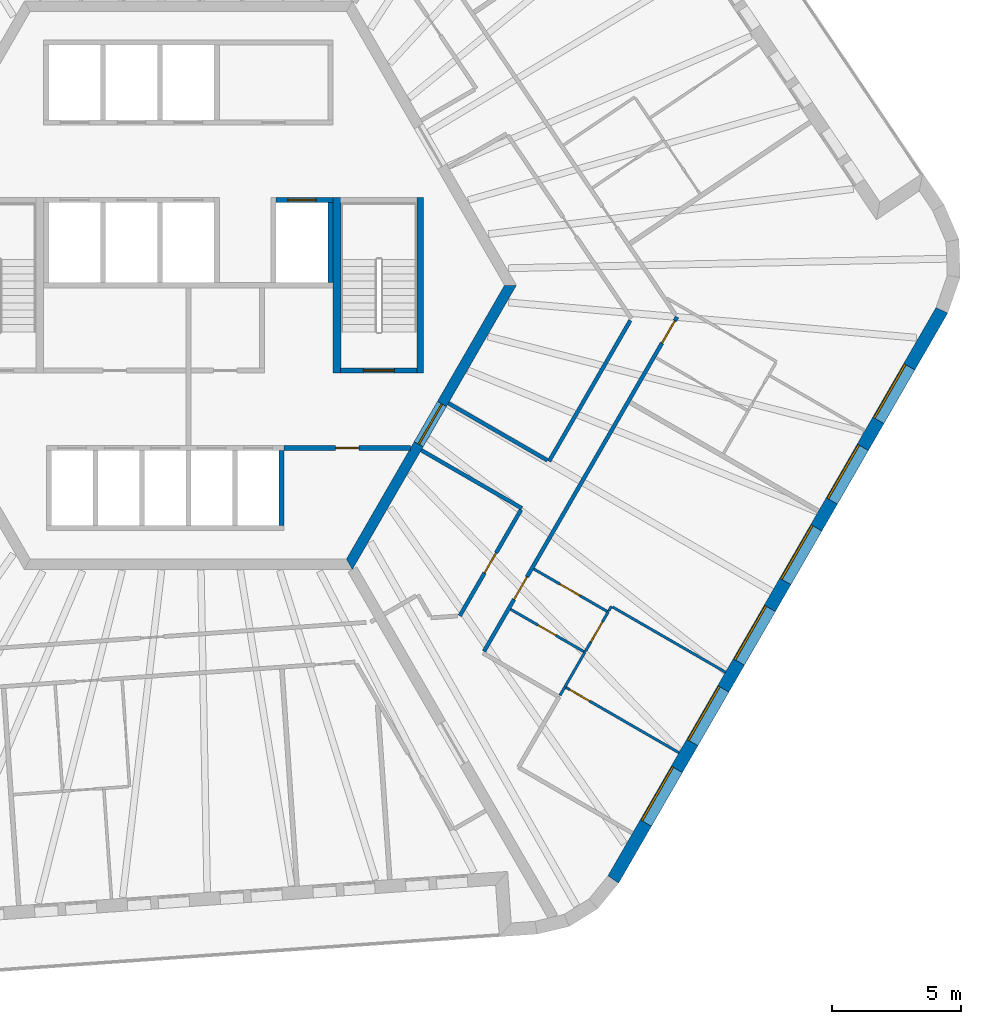
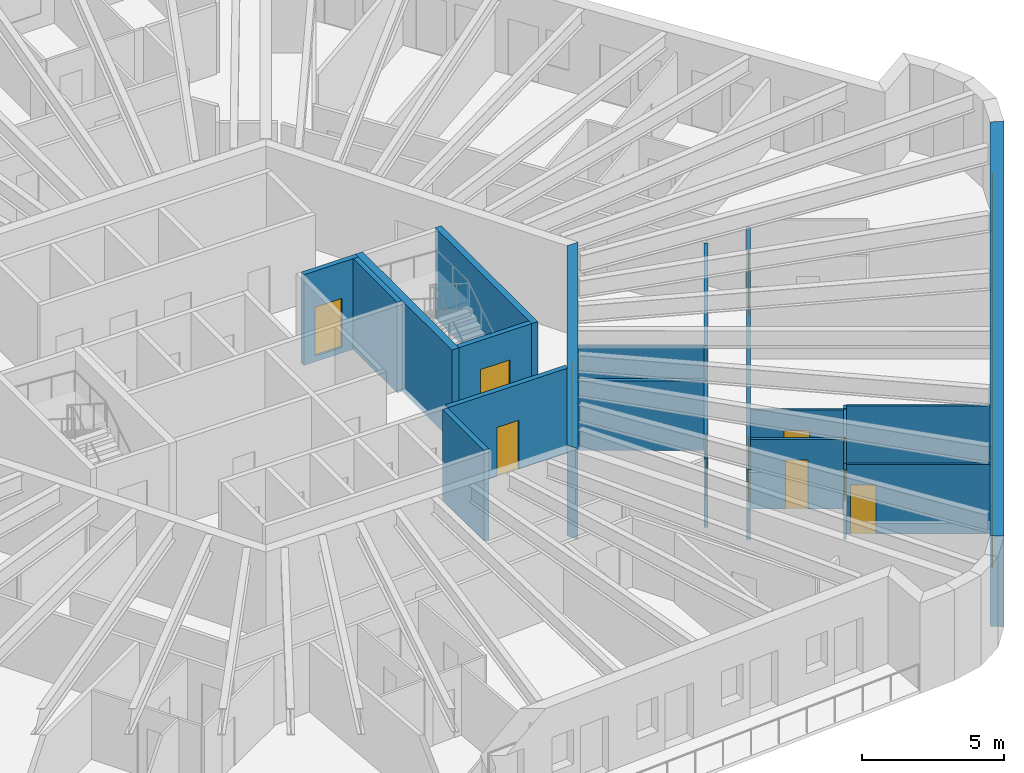
# One storey, part 6 of 12: 22 walls, 11 doors, 6 windows, 17 openings.
"""IFC4 building model written with IfcOpenShell, lengths in metres."""

from ifc_helpers import new_model, si_unit, direction, frame, frame_2d, origin, place, context, subcontext, project, spatial, polyline, rectangle, outline, extrude, material, layer, layer_set, type_object, element, fill, save


model = new_model("IFC4")

# Units and contexts
model_context = context("Model", 3, precision=1e-05, world=origin(), true_north=direction((0.0, 1.0)))
body_context = subcontext(model_context, "Body", "Model", "MODEL_VIEW")
ifc_project = project(units=[si_unit("LENGTHUNIT", "METRE"), si_unit("AREAUNIT", "SQUARE_METRE"), si_unit("VOLUMEUNIT", "CUBIC_METRE"), si_unit("PLANEANGLEUNIT", "RADIAN"), si_unit("MASSUNIT", "GRAM", prefix="KILO")], contexts=[model_context])

# Site, building, storey
site_placement = place(None, origin())
site = spatial("IfcSite", under=ifc_project, at=site_placement, CompositionType="ELEMENT")
building_placement = place(site_placement, origin())
building = spatial("IfcBuilding", under=site, at=building_placement, Name="Tarnside Tower", CompositionType="ELEMENT")
storey_placement = place(building_placement, frame((0.0, 0.0, 310.800048828125)))
storey = spatial("IfcBuildingStorey", under=building, at=storey_placement, Name="L75", CompositionType="ELEMENT", Elevation=310.800048828125)

# Wall, opening, door
ifc_material_1 = material(Name="Gypsum board partition on steel studs", Category="steel")
ifc_layer_1 = layer(ifc_material_1, 0.10009765625)
ifc_layer_set_1 = layer_set([ifc_layer_1], Name="Bathroom wall 100")
wall_type_1 = type_object("IfcWallType", Name="Bathroom wall 100", PredefinedType="PARTITIONING", material=ifc_layer_set_1)
wall_1_placement = place(storey_placement, frame((12.47412109375, -12.544189453125, 0.0), z_axis=(0.0, 0.0, 1.0), x_axis=(0.866002163101, -0.500040251884, 0.0)))
wall_1 = element("IfcWall", 1, at=wall_1_placement, inside=storey, type_object=wall_type_1, Name="Bathroom wall 24146", PredefinedType="PARTITIONING", context=body_context, shape_type="SweptSolid", body=[
    extrude(rectangle(XDim=3.324951171875, YDim=0.10009765625, at=frame_2d((1.66259765625, 0.0))), origin(), (0.0, 0.0, 1.0), 2.98779296875),
])
opening_1_placement = place(wall_1_placement, frame((1.22509765625, 0.0, 0.0)))
opening_1 = element("IfcOpeningElement", 2, at=opening_1_placement, cuts=wall_1, Name="Opening D-B1", PredefinedType="OPENING", context=body_context, shape_type="SweptSolid", body=[
    extrude(rectangle(XDim=0.800048828125, YDim=2.10009765625, at=frame_2d((0.39990234375, 1.050048828125))), frame((0.0, 0.06005859375, 0.0), z_axis=(0.0, -1.0, 0.0), x_axis=(1.0, 0.0, 0.0)), (0.0, 0.0, 1.0), 0.1201171875),
])
ifc_material_2 = material(Name="Timber door leaf", Category="wood")
door_type_1 = type_object("IfcDoorType", Name="Bathroom door 800", OperationType="NOTDEFINED", PredefinedType="DOOR", material=ifc_material_2)
door_1_placement = place(opening_1_placement, origin())
door_1 = element("IfcDoor", 3, at=door_1_placement, inside=storey, type_object=door_type_1, Name="Bathroom door 24044", OperationType="SINGLE_SWING_RIGHT", OverallHeight=2.10009765625, OverallWidth=0.800048828125, PredefinedType="DOOR", context=body_context, shape_type="SweptSolid", body=[
    extrude(rectangle(XDim=0.800048828125, YDim=2.10009765625, at=frame_2d((0.39990234375, 1.050048828125))), frame((0.0, 0.02490234375, 0.0), z_axis=(0.0, -1.0, 0.0), x_axis=(1.0, 0.0, 0.0)), (0.0, 0.0, 1.0), 0.050048828125),
])
fill(opening_1, door_1)

# Walls
wall_2_placement = place(storey_placement, frame((14.39013671875, -15.87548828125, 0.0), z_axis=(0.0, 0.0, 1.0), x_axis=(0.500094824054, 0.865970650169, 0.0)))
element("IfcWall", 4, at=wall_2_placement, inside=storey, type_object=wall_type_1, Name="Bathroom wall 24148", PredefinedType="PARTITIONING", context=body_context, shape_type="SweptSolid", body=[
    extrude(rectangle(XDim=0.37841796875, YDim=0.10009765625, at=frame_2d((0.189208984375, 0.0))), origin(), (0.0, 0.0, 1.0), 2.98779296875),
])
wall_3_placement = place(storey_placement, frame((14.579345703125, -15.5478515625, 0.0), z_axis=(0.0, 0.0, 1.0), x_axis=(0.499949632511, 0.866054481515, 0.0)))
element("IfcWall", 5, at=wall_3_placement, inside=storey, type_object=wall_type_1, Name="Bathroom wall 24149", PredefinedType="PARTITIONING", context=body_context, shape_type="SweptSolid", body=[
    extrude(rectangle(XDim=1.550537109375, YDim=0.10009765625, at=frame_2d((0.775390625, 0.0))), origin(), (0.0, 0.0, 1.0), 2.98779296875),
])

# Wall, opening, door
ifc_material_3 = material(Name="Concrete C40/50", Category="concrete")
ifc_layer_2 = layer(ifc_material_3, 0.199951171875)
ifc_layer_set_2 = layer_set([ifc_layer_2], Name="Core room partition 200 C40/50")
wall_type_2 = type_object("IfcWallType", Name="Core room partition 200 C40/50", PredefinedType="PARTITIONING", material=ifc_layer_set_2)
wall_4_placement = place(storey_placement, frame((3.699951171875, -6.300048828125, 0.0), z_axis=(0.0, 0.0, 1.0), x_axis=(1.0, 0.0, 0.0)))
wall_4 = element("IfcWall", 6, at=wall_4_placement, inside=storey, type_object=wall_type_2, Name="L75 core partition R4X", PredefinedType="PARTITIONING", context=body_context, shape_type="SweptSolid", body=[
    extrude(rectangle(XDim=4.902587890625, YDim=0.199951171875, at=frame_2d((2.451171875, 0.0))), origin(), (0.0, 0.0, 1.0), 3.64990234375),
])
opening_2_placement = place(wall_4_placement, frame((2.001220703125, 0.0, 0.0)))
opening_2 = element("IfcOpeningElement", 7, at=opening_2_placement, cuts=wall_4, Name="Opening CD-room", PredefinedType="OPENING", context=body_context, shape_type="SweptSolid", body=[
    extrude(rectangle(XDim=0.89990234375, YDim=2.10009765625, at=frame_2d((0.449951171875, 1.050048828125))), frame((0.0, 0.10986328125, 0.0), z_axis=(0.0, -1.0, 0.0), x_axis=(1.0, 0.0, 0.0)), (0.0, 0.0, 1.0), 0.219970703125),
])
ifc_material_4 = material(Name="Steel fire door", Category="steel")
door_type_2 = type_object("IfcDoorType", Name="Room door FD60 900x2100", OperationType="NOTDEFINED", PredefinedType="DOOR", material=ifc_material_4)
door_2_placement = place(opening_2_placement, origin())
door_2 = element("IfcDoor", 8, at=door_2_placement, inside=storey, type_object=door_type_2, Name="L75 core room door RX", OperationType="SINGLE_SWING_LEFT", OverallHeight=2.10009765625, OverallWidth=0.89990234375, PredefinedType="DOOR", context=body_context, shape_type="SweptSolid", body=[
    extrude(rectangle(XDim=0.89990234375, YDim=2.10009765625, at=frame_2d((0.449951171875, 1.050048828125))), frame((0.0, 0.02490234375, 0.0), z_axis=(0.0, -1.0, 0.0), x_axis=(1.0, 0.0, 0.0)), (0.0, 0.0, 1.0), 0.050048828125),
])
fill(opening_2, door_2)

ifc_material_5 = material(Name="Concrete C60/75", Category="concrete")
ifc_layer_3 = layer(ifc_material_5, 0.39990234375)
ifc_layer_set_3 = layer_set([ifc_layer_3], Name="Core wall Z3 400 C60/75")
wall_type_3 = type_object("IfcWallType", Name="Core wall Z3 400 C60/75", PredefinedType="SHEAR", material=ifc_layer_set_3)
wall_5_placement = place(storey_placement, frame((6.2353515625, -10.800048828125, -0.150146484375), z_axis=(0.0, 0.0, 1.0), x_axis=(0.499996419489, 0.866027470984, 0.0)))
wall_5 = element("IfcWall", 9, at=wall_5_placement, inside=storey, type_object=wall_type_3, Name="L75 core wall face 5", PredefinedType="SHEAR", context=body_context, shape_type="SweptSolid", body=[
    extrude(outline(polyline([(-0.115478515625, -0.199951171875), (12.586181640625, -0.199951171875), (12.355224609375, 0.199951171875), (0.115478515625, 0.199951171875), (-0.115478515625, -0.199951171875)])), origin(), (0.0, 0.0, 1.0), 3.900146484375),
])
opening_3_placement = place(wall_5_placement, frame((5.3642578125, 0.0, 0.14990234375)))
opening_3 = element("IfcOpeningElement", 10, at=opening_3_placement, cuts=wall_5, Name="Opening CD-FFL", PredefinedType="OPENING", context=body_context, shape_type="SweptSolid", body=[
    extrude(rectangle(XDim=1.800048828125, YDim=2.39990234375, at=frame_2d((0.89990234375, 1.199951171875))), frame((0.0, 0.2099609375, 0.0), z_axis=(0.0, -1.0, 0.0), x_axis=(1.0, 0.0, 0.0)), (0.0, 0.0, 1.0), 0.419921875),
])
door_type_3 = type_object("IfcDoorType", Name="Firefighting lobby double door FD60S 1800x2400", OperationType="NOTDEFINED", PredefinedType="DOOR", material=ifc_material_4)
door_3_placement = place(opening_3_placement, origin())
door_3 = element("IfcDoor", 11, at=door_3_placement, inside=storey, type_object=door_type_3, Name="L75 core door P4", OperationType="DOUBLE_DOOR_SINGLE_SWING", OverallHeight=2.39990234375, OverallWidth=1.800048828125, PredefinedType="DOOR", context=body_context, shape_type="SweptSolid", body=[
    extrude(rectangle(XDim=1.800048828125, YDim=2.39990234375, at=frame_2d((0.89990234375, 1.199951171875))), frame((0.0, 0.02490234375, 0.0), z_axis=(0.0, -1.0, 0.0), x_axis=(1.0, 0.0, 0.0)), (0.0, 0.0, 1.0), 0.050048828125),
])
fill(opening_3, door_3)

# Wall, openings, doors
ifc_layer_4 = layer(ifc_material_1, 0.14990234375)
ifc_layer_set_4 = layer_set([ifc_layer_4], Name="Corridor wall 150 EI 60")
wall_type_4 = type_object("IfcWallType", Name="Corridor wall 150 EI 60", PredefinedType="PARTITIONING", material=ifc_layer_set_4)
wall_6_placement = place(storey_placement, frame((11.446533203125, -14.173828125, 0.0), z_axis=(0.0, 0.0, 1.0), x_axis=(0.500003306199, 0.866023494941, 0.0)))
wall_6 = element("IfcWall", 12, at=wall_6_placement, inside=storey, type_object=wall_type_4, Name="Corridor wall 24054", PredefinedType="PARTITIONING", context=body_context, shape_type="SweptSolid", body=[
    extrude(rectangle(XDim=14.94921875, YDim=0.14990234375, at=frame_2d((7.474609375, 0.0))), origin(), (0.0, 0.0, 1.0), 2.98779296875),
])
opening_4_placement = place(wall_6_placement, frame((2.324951171875, 0.0, 0.0)))
opening_4 = element("IfcOpeningElement", 13, at=opening_4_placement, cuts=wall_6, Name="Opening D-E1", PredefinedType="OPENING", context=body_context, shape_type="SweptSolid", body=[
    extrude(rectangle(XDim=1.0, YDim=2.10009765625, at=frame_2d((0.5, 1.050048828125))), frame((0.0, 0.0849609375, 0.0), z_axis=(0.0, -1.0, 0.0), x_axis=(1.0, 0.0, 0.0)), (0.0, 0.0, 1.0), 0.169921875),
])
opening_5_placement = place(wall_6_placement, frame((13.7763671875, 0.0, 0.0)))
opening_5 = element("IfcOpeningElement", 14, at=opening_5_placement, cuts=wall_6, Name="Opening D-E1", PredefinedType="OPENING", context=body_context, shape_type="SweptSolid", body=[
    extrude(rectangle(XDim=1.0, YDim=2.10009765625, at=frame_2d((0.5, 1.050048828125))), frame((0.0, 0.0849609375, 0.0), z_axis=(0.0, -1.0, 0.0), x_axis=(1.0, 0.0, 0.0)), (0.0, 0.0, 1.0), 0.169921875),
])
door_type_4 = type_object("IfcDoorType", Name="Unit entrance door 1000 FD30S", OperationType="NOTDEFINED", PredefinedType="DOOR", material=ifc_material_2)
door_4_placement = place(opening_4_placement, origin())
door_4 = element("IfcDoor", 15, at=door_4_placement, inside=storey, type_object=door_type_4, Name="Unit door 24043", OperationType="SINGLE_SWING_LEFT", OverallHeight=2.10009765625, OverallWidth=1.0, PredefinedType="DOOR", context=body_context, shape_type="SweptSolid", body=[
    extrude(rectangle(XDim=1.0, YDim=2.10009765625, at=frame_2d((0.5, 1.050048828125))), frame((0.0, 0.02490234375, 0.0), z_axis=(0.0, -1.0, 0.0), x_axis=(1.0, 0.0, 0.0)), (0.0, 0.0, 1.0), 0.050048828125),
])
fill(opening_4, door_4)
door_5_placement = place(opening_5_placement, origin())
door_5 = element("IfcDoor", 16, at=door_5_placement, inside=storey, type_object=door_type_4, Name="Unit door 24050", OperationType="SINGLE_SWING_LEFT", OverallHeight=2.10009765625, OverallWidth=1.0, PredefinedType="DOOR", context=body_context, shape_type="SweptSolid", body=[
    extrude(rectangle(XDim=1.0, YDim=2.10009765625, at=frame_2d((0.5, 1.050048828125))), frame((0.0, 0.02490234375, 0.0), z_axis=(0.0, -1.0, 0.0), x_axis=(1.0, 0.0, 0.0)), (0.0, 0.0, 1.0), 0.050048828125),
])
fill(opening_5, door_5)

# Walls
wall_7_placement = place(storey_placement, frame((17.11181640625, -1.361572265625, 0.0), z_axis=(0.0, 0.0, 1.0), x_axis=(-0.49999985423, -0.866025487945, 0.0)))
element("IfcWall", 17, at=wall_7_placement, inside=storey, type_object=wall_type_4, Name="Corridor wall 24073", PredefinedType="PARTITIONING", context=body_context, shape_type="SweptSolid", body=[
    extrude(rectangle(XDim=6.2978515625, YDim=0.14990234375, at=frame_2d((3.14892578125, 0.0))), origin(), (0.0, 0.0, 1.0), 2.98779296875),
])
wall_8_placement = place(storey_placement, frame((13.89794921875, -6.778076171875, 0.0), z_axis=(0.0, 0.0, 1.0), x_axis=(-0.866041342403, 0.499972392486, 0.0)))
element("IfcWall", 18, at=wall_8_placement, inside=storey, type_object=wall_type_4, Name="Corridor wall 24074", PredefinedType="PARTITIONING", context=body_context, shape_type="SweptSolid", body=[
    extrude(rectangle(XDim=4.425048828125, YDim=0.14990234375, at=frame_2d((2.21240234375, 0.0))), origin(), (0.0, 0.0, 1.0), 2.98779296875),
])
wall_9_placement = place(storey_placement, frame((9.015625, -6.38427734375, 0.0), z_axis=(0.0, 0.0, 1.0), x_axis=(0.866031096941, -0.499990139034, 0.0)))
element("IfcWall", 19, at=wall_9_placement, inside=storey, type_object=wall_type_4, Name="Corridor wall 24075", PredefinedType="PARTITIONING", context=body_context, shape_type="SweptSolid", body=[
    extrude(rectangle(XDim=4.5, YDim=0.14990234375, at=frame_2d((2.25, 0.0))), origin(), (0.0, 0.0, 1.0), 2.98779296875),
])

# Wall, opening, door
wall_10_placement = place(storey_placement, frame((12.875244140625, -8.69921875, 0.0), z_axis=(0.0, 0.0, 1.0), x_axis=(-0.49999482868, -0.866028389427, 0.0)))
wall_10 = element("IfcWall", 20, at=wall_10_placement, inside=storey, type_object=wall_type_4, Name="Corridor wall 24076", PredefinedType="PARTITIONING", context=body_context, shape_type="SweptSolid", body=[
    extrude(rectangle(XDim=4.73291015625, YDim=0.14990234375, at=frame_2d((2.366455078125, 0.0))), origin(), (0.0, 0.0, 1.0), 2.98779296875),
])
opening_6_placement = place(wall_10_placement, frame((1.91650390625, 0.0, 0.0)))
opening_6 = element("IfcOpeningElement", 21, at=opening_6_placement, cuts=wall_10, Name="Opening D-S1", PredefinedType="OPENING", context=body_context, shape_type="SweptSolid", body=[
    extrude(rectangle(XDim=0.89990234375, YDim=2.10009765625, at=frame_2d((0.449951171875, 1.050048828125))), frame((0.0, 0.0849609375, 0.0), z_axis=(0.0, -1.0, 0.0), x_axis=(1.0, 0.0, 0.0)), (0.0, 0.0, 1.0), 0.169921875),
])
door_type_5 = type_object("IfcDoorType", Name="Service room door 900 FD30S", OperationType="NOTDEFINED", PredefinedType="DOOR", material=ifc_material_2)
door_6_placement = place(opening_6_placement, origin())
door_6 = element("IfcDoor", 22, at=door_6_placement, inside=storey, type_object=door_type_5, Name="Service door 24068", OperationType="SINGLE_SWING_LEFT", OverallHeight=2.10009765625, OverallWidth=0.89990234375, PredefinedType="DOOR", context=body_context, shape_type="SweptSolid", body=[
    extrude(rectangle(XDim=0.89990234375, YDim=2.10009765625, at=frame_2d((0.449951171875, 1.050048828125))), frame((0.0, 0.02490234375, 0.0), z_axis=(0.0, -1.0, 0.0), x_axis=(1.0, 0.0, 0.0)), (0.0, 0.0, 1.0), 0.050048828125),
])
fill(opening_6, door_6)

ifc_layer_5 = layer(ifc_material_3, 0.199951171875)
ifc_layer_set_5 = layer_set([ifc_layer_5], Name="Lift shaft wall 200 C40/50")
wall_type_5 = type_object("IfcWallType", Name="Lift shaft wall 200 C40/50", PredefinedType="SHEAR", material=ifc_layer_set_5)
wall_11_placement = place(storey_placement, frame((3.39990234375, 3.300048828125, -0.25), z_axis=(0.0, 0.0, 1.0), x_axis=(1.0, 0.0, 0.0)))
wall_11 = element("IfcWall", 23, at=wall_11_placement, inside=storey, type_object=wall_type_5, Name="L75 lift shaft front wall R2 2", PredefinedType="SHEAR", context=body_context, shape_type="SweptSolid", body=[
    extrude(rectangle(XDim=2.2001953125, YDim=0.199951171875, at=frame_2d((1.10009765625, 0.0))), origin(), (0.0, 0.0, 1.0), 3.89990234375),
])
opening_7_placement = place(wall_11_placement, frame((0.449951171875, 0.0, 0.25)))
opening_7 = element("IfcOpeningElement", 24, at=opening_7_placement, cuts=wall_11, Name="Opening LD", PredefinedType="OPENING", context=body_context, shape_type="SweptSolid", body=[
    extrude(rectangle(XDim=1.10009765625, YDim=2.10009765625, at=frame_2d((0.550048828125, 1.050048828125))), frame((0.0, 0.10986328125, 0.0), z_axis=(0.0, -1.0, 0.0), x_axis=(1.0, 0.0, 0.0)), (0.0, 0.0, 1.0), 0.219970703125),
])
ifc_material_6 = material(Name="Stainless steel", Category="steel")
door_type_6 = type_object("IfcDoorType", Name="Lift landing door 1100x2100", OperationType="NOTDEFINED", PredefinedType="DOOR", material=ifc_material_6)
door_7_placement = place(opening_7_placement, origin())
door_7 = element("IfcDoor", 25, at=door_7_placement, inside=storey, type_object=door_type_6, Name="Express sky-lobby shuttle 2 landing door L75", OperationType="SLIDING_TO_LEFT", OverallHeight=2.10009765625, OverallWidth=1.10009765625, PredefinedType="DOOR", context=body_context, shape_type="SweptSolid", body=[
    extrude(rectangle(XDim=1.10009765625, YDim=2.10009765625, at=frame_2d((0.550048828125, 1.050048828125))), frame((0.0, 0.02490234375, 0.0), z_axis=(0.0, -1.0, 0.0), x_axis=(1.0, 0.0, 0.0)), (0.0, 0.0, 1.0), 0.050048828125),
])
fill(opening_7, door_7)

# Walls
wall_12_placement = place(storey_placement, frame((5.5, 0.10009765625, -0.25), z_axis=(0.0, 0.0, 1.0), x_axis=(0.0, 1.0, 0.0)))
element("IfcWall", 26, at=wall_12_placement, inside=storey, type_object=wall_type_5, Name="L75 lift shaft partition R26", PredefinedType="SHEAR", context=body_context, shape_type="SweptSolid", body=[
    extrude(rectangle(XDim=3.099853515625, YDim=0.199951171875, at=frame_2d((1.5498046875, 0.0))), origin(), (0.0, 0.0, 1.0), 3.89990234375),
])
wall_13_placement = place(storey_placement, frame((3.60009765625, -9.300048828125, -0.25), z_axis=(0.0, 0.0, 1.0), x_axis=(0.0, 1.0, 0.0)))
element("IfcWall", 27, at=wall_13_placement, inside=storey, type_object=wall_type_5, Name="L75 lift shaft partition R46", PredefinedType="SHEAR", context=body_context, shape_type="SweptSolid", body=[
    extrude(rectangle(XDim=2.900146484375, YDim=0.199951171875, at=frame_2d((1.4501953125, 0.0))), origin(), (0.0, 0.0, 1.0), 3.89990234375),
])

# Wall, opening, door
wall_14_placement = place(storey_placement, frame((5.89990234375, -3.300048828125, -0.25), z_axis=(0.0, 0.0, 1.0), x_axis=(1.0, 0.0, 0.0)))
wall_14 = element("IfcWall", 28, at=wall_14_placement, inside=storey, type_object=wall_type_5, Name="L75 stair 1 enclosure cap wall s", PredefinedType="SHEAR", context=body_context, shape_type="SweptSolid", body=[
    extrude(rectangle(XDim=2.9501953125, YDim=0.199951171875, at=frame_2d((1.47509765625, 0.0))), origin(), (0.0, 0.0, 1.0), 3.89990234375),
])
opening_8_placement = place(wall_14_placement, frame((0.875, 0.0, 0.25)))
opening_8 = element("IfcOpeningElement", 29, at=opening_8_placement, cuts=wall_14, Name="Opening CD-STR", PredefinedType="OPENING", context=body_context, shape_type="SweptSolid", body=[
    extrude(rectangle(XDim=1.199951171875, YDim=2.39990234375, at=frame_2d((0.60009765625, 1.199951171875))), frame((0.0, 0.10986328125, 0.0), z_axis=(0.0, -1.0, 0.0), x_axis=(1.0, 0.0, 0.0)), (0.0, 0.0, 1.0), 0.219970703125),
])
door_type_7 = type_object("IfcDoorType", Name="Stair door FD60S 1200x2400", OperationType="NOTDEFINED", PredefinedType="DOOR", material=ifc_material_4)
door_8_placement = place(opening_8_placement, origin())
door_8 = element("IfcDoor", 30, at=door_8_placement, inside=storey, type_object=door_type_7, Name="L75 stair 1 door", OperationType="SINGLE_SWING_LEFT", OverallHeight=2.39990234375, OverallWidth=1.199951171875, PredefinedType="DOOR", context=body_context, shape_type="SweptSolid", body=[
    extrude(rectangle(XDim=1.199951171875, YDim=2.39990234375, at=frame_2d((0.60009765625, 1.199951171875))), frame((0.0, 0.02490234375, 0.0), z_axis=(0.0, -1.0, 0.0), x_axis=(1.0, 0.0, 0.0)), (0.0, 0.0, 1.0), 0.050048828125),
])
fill(opening_8, door_8)

ifc_layer_6 = layer(ifc_material_1, 0.10009765625)
ifc_layer_set_6 = layer_set([ifc_layer_6], Name="Partition 100")
wall_type_6 = type_object("IfcWallType", Name="Partition 100", PredefinedType="PARTITIONING", material=ifc_layer_set_6)
wall_15_placement = place(storey_placement, frame((13.3740234375, -10.9853515625, 0.0), z_axis=(0.0, 0.0, 1.0), x_axis=(0.866020521143, -0.500008456887, 0.0)))
wall_15 = element("IfcWall", 31, at=wall_15_placement, inside=storey, type_object=wall_type_6, Name="Partition wall 24141", PredefinedType="PARTITIONING", context=body_context, shape_type="SweptSolid", body=[
    extrude(rectangle(XDim=3.3251953125, YDim=0.10009765625, at=frame_2d((1.66259765625, 0.0))), origin(), (0.0, 0.0, 1.0), 2.98779296875),
])
opening_9_placement = place(wall_15_placement, frame((1.175048828125, 0.0, 0.0)))
opening_9 = element("IfcOpeningElement", 32, at=opening_9_placement, cuts=wall_15, Name="Opening D-I1", PredefinedType="OPENING", context=body_context, shape_type="SweptSolid", body=[
    extrude(rectangle(XDim=0.89990234375, YDim=2.10009765625, at=frame_2d((0.449951171875, 1.050048828125))), frame((0.0, 0.06005859375, 0.0), z_axis=(0.0, -1.0, 0.0), x_axis=(1.0, 0.0, 0.0)), (0.0, 0.0, 1.0), 0.1201171875),
])
door_type_8 = type_object("IfcDoorType", Name="Internal door 900", OperationType="NOTDEFINED", PredefinedType="DOOR", material=ifc_material_2)
door_9_placement = place(opening_9_placement, origin())
door_9 = element("IfcDoor", 33, at=door_9_placement, inside=storey, type_object=door_type_8, Name="Internal door 24045", OperationType="SINGLE_SWING_RIGHT", OverallHeight=2.10009765625, OverallWidth=0.89990234375, PredefinedType="DOOR", context=body_context, shape_type="SweptSolid", body=[
    extrude(rectangle(XDim=0.89990234375, YDim=2.10009765625, at=frame_2d((0.449951171875, 1.050048828125))), frame((0.0, 0.02490234375, 0.0), z_axis=(0.0, -1.0, 0.0), x_axis=(1.0, 0.0, 0.0)), (0.0, 0.0, 1.0), 0.050048828125),
])
fill(opening_9, door_9)

# Walls
wall_16_placement = place(storey_placement, frame((16.277587890625, -12.6064453125, 0.0), z_axis=(0.0, 0.0, 1.0), x_axis=(0.500137716533, 0.865945878506, 0.0)))
element("IfcWall", 34, at=wall_16_placement, inside=storey, type_object=wall_type_6, Name="Partition wall 24142", PredefinedType="PARTITIONING", context=body_context, shape_type="SweptSolid", body=[
    extrude(rectangle(XDim=0.20361328125, YDim=0.10009765625, at=frame_2d((0.101806640625, 0.0))), origin(), (0.0, 0.0, 1.0), 2.98779296875),
])
wall_17_placement = place(storey_placement, frame((16.422607421875, -12.455078125, 0.0), z_axis=(0.0, 0.0, 1.0), x_axis=(0.866018134068, -0.500012591307, 0.0)))
element("IfcWall", 35, at=wall_17_placement, inside=storey, type_object=wall_type_6, Name="Partition wall 24143", PredefinedType="PARTITIONING", context=body_context, shape_type="SweptSolid", body=[
    extrude(rectangle(XDim=5.050048828125, YDim=0.10009765625, at=frame_2d((2.52490234375, 0.0))), origin(), (0.0, 0.0, 1.0), 2.98779296875),
])

# Wall, opening, door
wall_18_placement = place(storey_placement, frame((15.377685546875, -14.165283203125, 0.0), z_axis=(0.0, 0.0, 1.0), x_axis=(0.499971461383, 0.866041879935, 0.0)))
wall_18 = element("IfcWall", 36, at=wall_18_placement, inside=storey, type_object=wall_type_6, Name="Partition wall 24147", PredefinedType="PARTITIONING", context=body_context, shape_type="SweptSolid", body=[
    extrude(rectangle(XDim=1.75390625, YDim=0.10009765625, at=frame_2d((0.876953125, 0.0))), origin(), (0.0, 0.0, 1.0), 2.98779296875),
])
opening_10_placement = place(wall_18_placement, frame((0.402099609375, 0.0, 0.0)))
opening_10 = element("IfcOpeningElement", 37, at=opening_10_placement, cuts=wall_18, Name="Opening D-I1", PredefinedType="OPENING", context=body_context, shape_type="SweptSolid", body=[
    extrude(rectangle(XDim=0.89990234375, YDim=2.10009765625, at=frame_2d((0.449951171875, 1.050048828125))), frame((0.0, 0.06005859375, 0.0), z_axis=(0.0, -1.0, 0.0), x_axis=(1.0, 0.0, 0.0)), (0.0, 0.0, 1.0), 0.1201171875),
])
door_10_placement = place(opening_10_placement, origin())
door_10 = element("IfcDoor", 38, at=door_10_placement, inside=storey, type_object=door_type_8, Name="Internal door 24049", OperationType="SINGLE_SWING_RIGHT", OverallHeight=2.10009765625, OverallWidth=0.89990234375, PredefinedType="DOOR", context=body_context, shape_type="SweptSolid", body=[
    extrude(rectangle(XDim=0.89990234375, YDim=2.10009765625, at=frame_2d((0.449951171875, 1.050048828125))), frame((0.0, 0.02490234375, 0.0), z_axis=(0.0, -1.0, 0.0), x_axis=(1.0, 0.0, 0.0)), (0.0, 0.0, 1.0), 0.050048828125),
])
fill(opening_10, door_10)

wall_19_placement = place(storey_placement, frame((18.99609375, -18.097900390625, 0.0), z_axis=(0.0, 0.0, 1.0), x_axis=(-0.866039067339, 0.499976333282, 0.0)))
wall_19 = element("IfcWall", 39, at=wall_19_placement, inside=storey, type_object=wall_type_6, Name="Partition wall 24150", PredefinedType="PARTITIONING", context=body_context, shape_type="SweptSolid", body=[
    extrude(rectangle(XDim=5.050048828125, YDim=0.10009765625, at=frame_2d((2.52490234375, 0.0))), origin(), (0.0, 0.0, 1.0), 2.98779296875),
])
opening_11_placement = place(wall_19_placement, frame((4.0, 0.0, 0.0)))
opening_11 = element("IfcOpeningElement", 40, at=opening_11_placement, cuts=wall_19, Name="Opening D-I1", PredefinedType="OPENING", context=body_context, shape_type="SweptSolid", body=[
    extrude(rectangle(XDim=0.89990234375, YDim=2.10009765625, at=frame_2d((0.449951171875, 1.050048828125))), frame((0.0, 0.06005859375, 0.0), z_axis=(0.0, -1.0, 0.0), x_axis=(1.0, 0.0, 0.0)), (0.0, 0.0, 1.0), 0.1201171875),
])
door_11_placement = place(opening_11_placement, origin())
door_11 = element("IfcDoor", 41, at=door_11_placement, inside=storey, type_object=door_type_8, Name="Internal door 24048", OperationType="SINGLE_SWING_RIGHT", OverallHeight=2.10009765625, OverallWidth=0.89990234375, PredefinedType="DOOR", context=body_context, shape_type="SweptSolid", body=[
    extrude(rectangle(XDim=0.89990234375, YDim=2.10009765625, at=frame_2d((0.449951171875, 1.050048828125))), frame((0.0, 0.02490234375, 0.0), z_axis=(0.0, -1.0, 0.0), x_axis=(1.0, 0.0, 0.0)), (0.0, 0.0, 1.0), 0.050048828125),
])
fill(opening_11, door_11)

# Walls
ifc_layer_7 = layer(ifc_material_3, 0.25)
ifc_layer_set_7 = layer_set([ifc_layer_7], Name="Stair enclosure wall 250 C40/50")
wall_type_7 = type_object("IfcWallType", Name="Stair enclosure wall 250 C40/50", PredefinedType="SHEAR", material=ifc_layer_set_7)
wall_20_placement = place(storey_placement, frame((8.97509765625, -3.39990234375, -0.25), z_axis=(0.0, 0.0, 1.0), x_axis=(0.0, 1.0, 0.0)))
element("IfcWall", 42, at=wall_20_placement, inside=storey, type_object=wall_type_7, Name="L75 stair 1 enclosure wall outer", PredefinedType="SHEAR", context=body_context, shape_type="SweptSolid", body=[
    extrude(rectangle(XDim=6.7998046875, YDim=0.25, at=frame_2d((3.39990234375, 0.0))), origin(), (0.0, 0.0, 1.0), 3.89990234375),
])
ifc_layer_8 = layer(ifc_material_3, 0.300048828125)
ifc_layer_set_8 = layer_set([ifc_layer_8], Name="Stair enclosure wall 300 C40/50")
wall_type_8 = type_object("IfcWallType", Name="Stair enclosure wall 300 C40/50", PredefinedType="SHEAR", material=ifc_layer_set_8)
wall_21_placement = place(storey_placement, frame((5.75, -3.39990234375, -0.25), z_axis=(0.0, 0.0, 1.0), x_axis=(0.0, 1.0, 0.0)))
element("IfcWall", 43, at=wall_21_placement, inside=storey, type_object=wall_type_8, Name="L75 stair 1 enclosure wall inner", PredefinedType="SHEAR", context=body_context, shape_type="SweptSolid", body=[
    extrude(rectangle(XDim=6.7998046875, YDim=0.300048828125, at=frame_2d((3.39990234375, 0.0))), origin(), (0.0, 0.0, 1.0), 3.89990234375),
])

# Wall, openings, windows
ifc_material_7 = material(Name="Facing brick", Category="masonry")
ifc_layer_9 = layer(ifc_material_7, 0.10205078125)
ifc_material_8 = material(Name="Concrete C60/75 precast", Category="concrete")
ifc_layer_10 = layer(ifc_material_8, 0.298095703125)
ifc_material_9 = material(Name="Mineral wool insulation")
ifc_layer_11 = layer(ifc_material_9, 0.10009765625)
ifc_layer_set_9 = layer_set([ifc_layer_9, ifc_layer_10, ifc_layer_11], Name="Tube wall 500 brick faced")
wall_type_9 = type_object("IfcWallType", Name="Tube wall 500 brick faced", PredefinedType="SOLIDWALL", material=ifc_layer_set_9)
wall_22_placement = place(storey_placement, frame((16.451416015625, -23.00537109375, -0.150146484375), z_axis=(0.0, 0.0, 1.0), x_axis=(0.500003737743, 0.866023245787, 0.0)))
wall_22 = element("IfcWall", 44, at=wall_22_placement, inside=storey, type_object=wall_type_9, Name="Tube wall L75 F5 flush 24", PredefinedType="SOLIDWALL", context=body_context, shape_type="SweptSolid", body=[
    extrude(outline(polyline([(-0.0205078125, -0.25), (25.468017578125, -0.25), (25.421142578125, 0.25), (0.0205078125, 0.25), (-0.0205078125, -0.25)])), origin(), (0.0, 0.0, 1.0), 3.900146484375),
])
opening_12_placement = place(wall_22_placement, frame((2.5224609375, 0.0, 0.75)))
opening_12 = element("IfcOpeningElement", 45, at=opening_12_placement, cuts=wall_22, Name="Opening WR", PredefinedType="OPENING", context=body_context, shape_type="SweptSolid", body=[
    extrude(rectangle(XDim=2.39990234375, YDim=2.699951171875, at=frame_2d((1.199951171875, 1.35009765625))), frame((0.0, 0.260009765625, 0.0), z_axis=(0.0, -1.0, 0.0), x_axis=(1.0, 0.0, 0.0)), (0.0, 0.0, 1.0), 0.52001953125),
])
opening_13_placement = place(wall_22_placement, frame((6.122314453125, 0.0, 0.75)))
opening_13 = element("IfcOpeningElement", 46, at=opening_13_placement, cuts=wall_22, Name="Opening WR", PredefinedType="OPENING", context=body_context, shape_type="SweptSolid", body=[
    extrude(rectangle(XDim=2.39990234375, YDim=2.699951171875, at=frame_2d((1.199951171875, 1.35009765625))), frame((0.0, 0.260009765625, 0.0), z_axis=(0.0, -1.0, 0.0), x_axis=(1.0, 0.0, 0.0)), (0.0, 0.0, 1.0), 0.52001953125),
])
opening_14_placement = place(wall_22_placement, frame((9.722412109375, 0.0, 0.75)))
opening_14 = element("IfcOpeningElement", 47, at=opening_14_placement, cuts=wall_22, Name="Opening WR", PredefinedType="OPENING", context=body_context, shape_type="SweptSolid", body=[
    extrude(rectangle(XDim=2.39990234375, YDim=2.699951171875, at=frame_2d((1.199951171875, 1.35009765625))), frame((0.0, 0.260009765625, 0.0), z_axis=(0.0, -1.0, 0.0), x_axis=(1.0, 0.0, 0.0)), (0.0, 0.0, 1.0), 0.52001953125),
])
opening_15_placement = place(wall_22_placement, frame((13.322509765625, 0.0, 0.75)))
opening_15 = element("IfcOpeningElement", 48, at=opening_15_placement, cuts=wall_22, Name="Opening WR", PredefinedType="OPENING", context=body_context, shape_type="SweptSolid", body=[
    extrude(rectangle(XDim=2.39990234375, YDim=2.699951171875, at=frame_2d((1.199951171875, 1.35009765625))), frame((0.0, 0.260009765625, 0.0), z_axis=(0.0, -1.0, 0.0), x_axis=(1.0, 0.0, 0.0)), (0.0, 0.0, 1.0), 0.52001953125),
])
opening_16_placement = place(wall_22_placement, frame((16.92236328125, 0.0, 0.75)))
opening_16 = element("IfcOpeningElement", 49, at=opening_16_placement, cuts=wall_22, Name="Opening WR", PredefinedType="OPENING", context=body_context, shape_type="SweptSolid", body=[
    extrude(rectangle(XDim=2.39990234375, YDim=2.699951171875, at=frame_2d((1.199951171875, 1.35009765625))), frame((0.0, 0.260009765625, 0.0), z_axis=(0.0, -1.0, 0.0), x_axis=(1.0, 0.0, 0.0)), (0.0, 0.0, 1.0), 0.52001953125),
])
opening_17_placement = place(wall_22_placement, frame((20.5224609375, 0.0, 0.75)))
opening_17 = element("IfcOpeningElement", 50, at=opening_17_placement, cuts=wall_22, Name="Opening WR", PredefinedType="OPENING", context=body_context, shape_type="SweptSolid", body=[
    extrude(rectangle(XDim=2.39990234375, YDim=2.699951171875, at=frame_2d((1.199951171875, 1.35009765625))), frame((0.0, 0.260009765625, 0.0), z_axis=(0.0, -1.0, 0.0), x_axis=(1.0, 0.0, 0.0)), (0.0, 0.0, 1.0), 0.52001953125),
])
ifc_material_10 = material(Name="Aluminium-framed double glazing", Category="aluminium")
window_type = type_object("IfcWindowType", Name="Residence window 2400 x 2700", PartitioningType="DOUBLE_PANEL_VERTICAL", PredefinedType="WINDOW", material=ifc_material_10)
window_1_placement = place(opening_12_placement, frame((0.0, 0.179931640625, 0.0)))
window_1 = element("IfcWindow", 51, at=window_1_placement, inside=storey, type_object=window_type, Name="E.WN.L75.F5.00", OverallHeight=2.699951171875, OverallWidth=2.39990234375, PartitioningType="DOUBLE_PANEL_VERTICAL", PredefinedType="WINDOW", context=body_context, shape_type="SweptSolid", body=[
    extrude(rectangle(XDim=2.39990234375, YDim=2.699951171875, at=frame_2d((1.199951171875, 1.35009765625))), frame((0.0, 0.030029296875, 0.0), z_axis=(0.0, -1.0, 0.0), x_axis=(1.0, 0.0, 0.0)), (0.0, 0.0, 1.0), 0.06005859375),
])
fill(opening_12, window_1)
window_2_placement = place(opening_13_placement, frame((0.0, 0.179931640625, 0.0)))
window_2 = element("IfcWindow", 52, at=window_2_placement, inside=storey, type_object=window_type, Name="E.WN.L75.F5.01", OverallHeight=2.699951171875, OverallWidth=2.39990234375, PartitioningType="DOUBLE_PANEL_VERTICAL", PredefinedType="WINDOW", context=body_context, shape_type="SweptSolid", body=[
    extrude(rectangle(XDim=2.39990234375, YDim=2.699951171875, at=frame_2d((1.199951171875, 1.35009765625))), frame((0.0, 0.030029296875, 0.0), z_axis=(0.0, -1.0, 0.0), x_axis=(1.0, 0.0, 0.0)), (0.0, 0.0, 1.0), 0.06005859375),
])
fill(opening_13, window_2)
window_3_placement = place(opening_14_placement, frame((0.0, 0.179931640625, 0.0)))
window_3 = element("IfcWindow", 53, at=window_3_placement, inside=storey, type_object=window_type, Name="E.WN.L75.F5.02", OverallHeight=2.699951171875, OverallWidth=2.39990234375, PartitioningType="DOUBLE_PANEL_VERTICAL", PredefinedType="WINDOW", context=body_context, shape_type="SweptSolid", body=[
    extrude(rectangle(XDim=2.39990234375, YDim=2.699951171875, at=frame_2d((1.199951171875, 1.35009765625))), frame((0.0, 0.030029296875, 0.0), z_axis=(0.0, -1.0, 0.0), x_axis=(1.0, 0.0, 0.0)), (0.0, 0.0, 1.0), 0.06005859375),
])
fill(opening_14, window_3)
window_4_placement = place(opening_15_placement, frame((0.0, 0.179931640625, 0.0)))
window_4 = element("IfcWindow", 54, at=window_4_placement, inside=storey, type_object=window_type, Name="E.WN.L75.F5.03", OverallHeight=2.699951171875, OverallWidth=2.39990234375, PartitioningType="DOUBLE_PANEL_VERTICAL", PredefinedType="WINDOW", context=body_context, shape_type="SweptSolid", body=[
    extrude(rectangle(XDim=2.39990234375, YDim=2.699951171875, at=frame_2d((1.199951171875, 1.35009765625))), frame((0.0, 0.030029296875, 0.0), z_axis=(0.0, -1.0, 0.0), x_axis=(1.0, 0.0, 0.0)), (0.0, 0.0, 1.0), 0.06005859375),
])
fill(opening_15, window_4)
window_5_placement = place(opening_16_placement, frame((0.0, 0.179931640625, 0.0)))
window_5 = element("IfcWindow", 55, at=window_5_placement, inside=storey, type_object=window_type, Name="E.WN.L75.F5.04", OverallHeight=2.699951171875, OverallWidth=2.39990234375, PartitioningType="DOUBLE_PANEL_VERTICAL", PredefinedType="WINDOW", context=body_context, shape_type="SweptSolid", body=[
    extrude(rectangle(XDim=2.39990234375, YDim=2.699951171875, at=frame_2d((1.199951171875, 1.35009765625))), frame((0.0, 0.030029296875, 0.0), z_axis=(0.0, -1.0, 0.0), x_axis=(1.0, 0.0, 0.0)), (0.0, 0.0, 1.0), 0.06005859375),
])
fill(opening_16, window_5)
window_6_placement = place(opening_17_placement, frame((0.0, 0.179931640625, 0.0)))
window_6 = element("IfcWindow", 56, at=window_6_placement, inside=storey, type_object=window_type, Name="E.WN.L75.F5.05", OverallHeight=2.699951171875, OverallWidth=2.39990234375, PartitioningType="DOUBLE_PANEL_VERTICAL", PredefinedType="WINDOW", context=body_context, shape_type="SweptSolid", body=[
    extrude(rectangle(XDim=2.39990234375, YDim=2.699951171875, at=frame_2d((1.199951171875, 1.35009765625))), frame((0.0, 0.030029296875, 0.0), z_axis=(0.0, -1.0, 0.0), x_axis=(1.0, 0.0, 0.0)), (0.0, 0.0, 1.0), 0.06005859375),
])
fill(opening_17, window_6)

save(model, "model.ifc")
